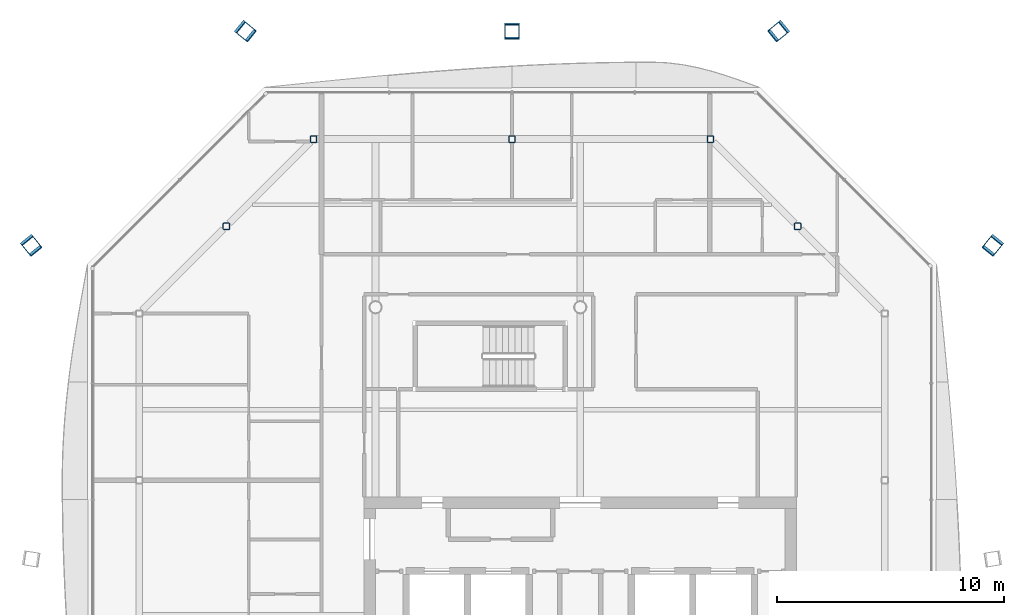
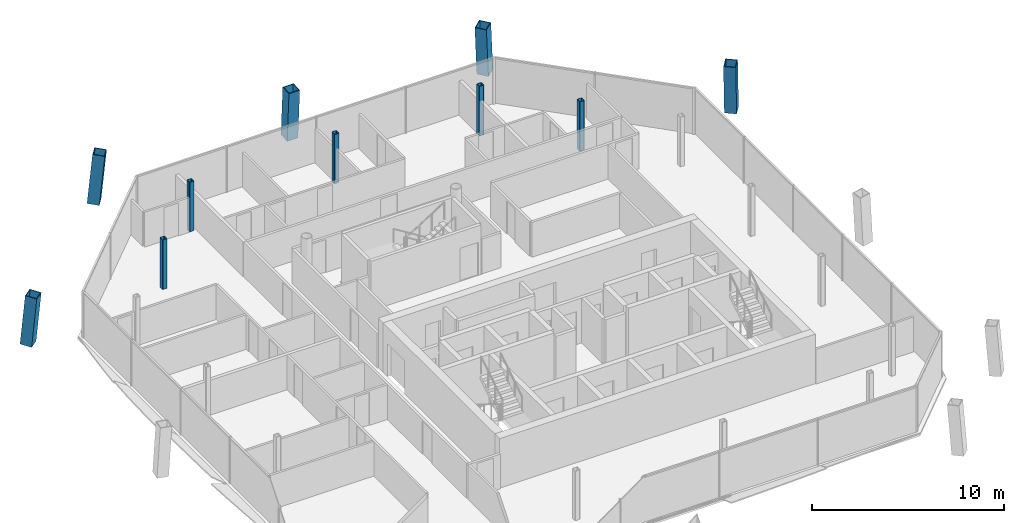
# One storey, part 3 of 17: 10 columns.
"""IFC4 building model written with IfcOpenShell, lengths in metres."""

from ifc_helpers import new_model, si_unit, direction, frame, origin, origin_2d, place, context, subcontext, project, spatial, hollow_rectangle, extrude, material, material_profile, profile_set, type_object, element, save


model = new_model("IFC4")

# Units and contexts
model_context = context("Model", 3, precision=1e-05, world=origin(), true_north=direction((0.0, 1.0)))
body_context = subcontext(model_context, "Body", "Model", "MODEL_VIEW")
ifc_project = project(units=[si_unit("LENGTHUNIT", "METRE"), si_unit("AREAUNIT", "SQUARE_METRE"), si_unit("VOLUMEUNIT", "CUBIC_METRE"), si_unit("PLANEANGLEUNIT", "RADIAN"), si_unit("MASSUNIT", "GRAM", prefix="KILO")], contexts=[model_context])

# Site, building, storey
site_placement = place(None, origin())
site = spatial("IfcSite", under=ifc_project, at=site_placement, CompositionType="ELEMENT")
building_placement = place(site_placement, origin())
building = spatial("IfcBuilding", under=site, at=building_placement, Name="Tskaro Facet Tower", CompositionType="ELEMENT")
storey_placement = place(building_placement, frame((0.0, 0.0, 232.949951171875)))
storey = spatial("IfcBuildingStorey", under=building, at=storey_placement, Name="L60", CompositionType="ELEMENT", Elevation=232.949951171875)

# Columns
ifc_material_1 = material(Name="Steel S355J2", Category="steel")
ifc_material_profile_1 = material_profile(ifc_material_1, hollow_rectangle(XDim=0.64990234375, YDim=0.64990234375, WallThickness=0.0400390625, at=origin_2d()), Name="BOX 650x650x40")
ifc_profile_set_1 = profile_set([ifc_material_profile_1], Name="Steel S355J2")
column_type_1 = type_object("IfcColumnType", Name="BOX 650x650x40 mega column", PredefinedType="COLUMN", material=ifc_profile_set_1)
for number, where, z_axis, x_axis, name in (
    (1, (18.172119140625, 11.761962890625, 0.0), (-0.057878432863, -0.07176925675, 0.995740558978), (0.778413039475, -0.62775245119, 0.0), "BOX 650x650x40 MC06/5"),
    (2, (8.761962890625, 21.172119140625, 0.0), (-0.07176925675, -0.057878432863, 0.995740558978), (0.62775245119, -0.778413039475, 0.0), "BOX 650x650x40 MC07/5"),
):
    element("IfcColumn", number, at=place(storey_placement, frame(where, z_axis=z_axis, x_axis=x_axis)), inside=storey, type_object=column_type_1, Name=name, PredefinedType="COLUMN", context=body_context, shape_type="SweptSolid", body=[
        extrude(hollow_rectangle(XDim=0.64990234375, YDim=0.64990234375, WallThickness=0.0400390625, at=origin_2d()), origin(), (0.0, 0.0, 1.0), 3.16357421875),
    ])
column_placement = place(storey_placement, frame((-3.0, 21.172119140625, 0.0), z_axis=(0.0, -0.058028072061, 0.998314951733), x_axis=(1.0, 0.0, 0.0)))
element("IfcColumn", 3, at=column_placement, inside=storey, type_object=column_type_1, Name="BOX 650x650x40 MC08/5", PredefinedType="COLUMN", context=body_context, shape_type="SweptSolid", body=[
    extrude(hollow_rectangle(XDim=0.64990234375, YDim=0.64990234375, WallThickness=0.0400390625, at=origin_2d()), origin(), (0.0, 0.0, 1.0), 3.155517578125),
])
for number, where, z_axis, x_axis, name in (
    (4, (-14.761962890625, 21.172119140625, 0.0), (0.07176925675, -0.057878432863, 0.995740558978), (0.62775245119, 0.778413039475, 0.0), "BOX 650x650x40 MC09/5"),
    (5, (-24.172119140625, 11.761962890625, 0.0), (0.057878432863, -0.07176925675, 0.995740558978), (0.778413039475, 0.62775245119, 0.0), "BOX 650x650x40 MC10/5"),
):
    element("IfcColumn", number, at=place(storey_placement, frame(where, z_axis=z_axis, x_axis=x_axis)), inside=storey, type_object=column_type_1, Name=name, PredefinedType="COLUMN", context=body_context, shape_type="SweptSolid", body=[
        extrude(hollow_rectangle(XDim=0.64990234375, YDim=0.64990234375, WallThickness=0.0400390625, at=origin_2d()), origin(), (0.0, 0.0, 1.0), 3.16357421875),
    ])
ifc_material_2 = material(Name="Steel S355J2H", Category="steel")
ifc_material_profile_2 = material_profile(ifc_material_2, hollow_rectangle(XDim=0.300048828125, YDim=0.300048828125, WallThickness=0.02001953125, InnerFilletRadius=0.030029296875, OuterFilletRadius=0.050048828125, at=origin_2d()), Name="SHS 300x300x20")
ifc_profile_set_2 = profile_set([ifc_material_profile_2], Name="Steel S355J2H")
column_type_2 = type_object("IfcColumnType", Name="SHS 300x300x20 ring column", PredefinedType="COLUMN", material=ifc_profile_set_2)
for number, where, z_axis, x_axis, name in (
    (6, (9.55810546875, 12.55810546875, 0.0), (0.0, 0.0, 1.0), (1.0, 0.0, 0.0), "SHS 300x300x20 RNE-2/5"),
    (7, (5.72509765625, 16.39111328125, 0.0), (0.0, 0.0, 1.0), (1.0, 0.0, 0.0), "SHS 300x300x20 RN-1/5"),
    (8, (-3.0, 16.39111328125, 0.0), (0.0, 0.0, 1.0), (1.0, 0.0, 0.0), "SHS 300x300x20 RN-2/5"),
    (9, (-11.72509765625, 16.39111328125, 0.0), (0.0, 0.0, 1.0), (1.0, 0.0, 0.0), "SHS 300x300x20 RNW-1/5"),
    (10, (-15.55810546875, 12.55810546875, 0.0), (0.0, 0.0, 1.0), (1.0, 0.0, 0.0), "SHS 300x300x20 RNW-2/5"),
):
    element("IfcColumn", number, at=place(storey_placement, frame(where, z_axis=z_axis, x_axis=x_axis)), inside=storey, type_object=column_type_2, Name=name, PredefinedType="COLUMN", context=body_context, shape_type="SweptSolid", body=[
        extrude(hollow_rectangle(XDim=0.300048828125, YDim=0.300048828125, WallThickness=0.02001953125, InnerFilletRadius=0.030029296875, OuterFilletRadius=0.050048828125, at=origin_2d()), origin(), (0.0, 0.0, 1.0), 3.150146484375),
    ])

save(model, "model.ifc")
